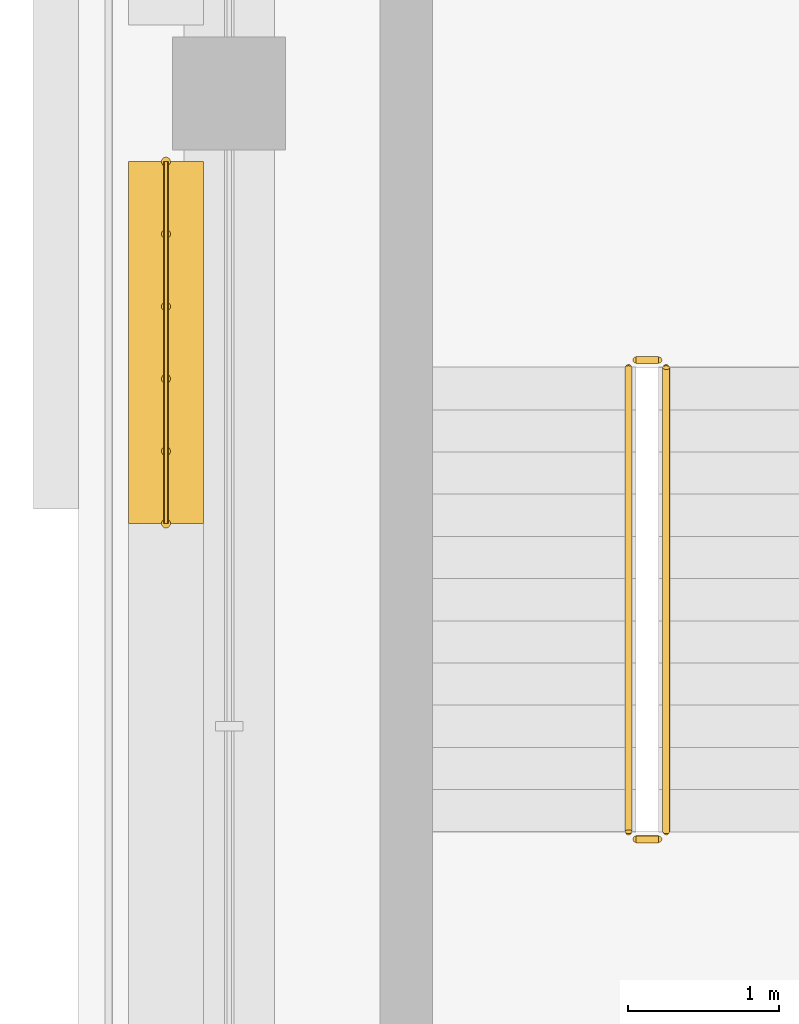
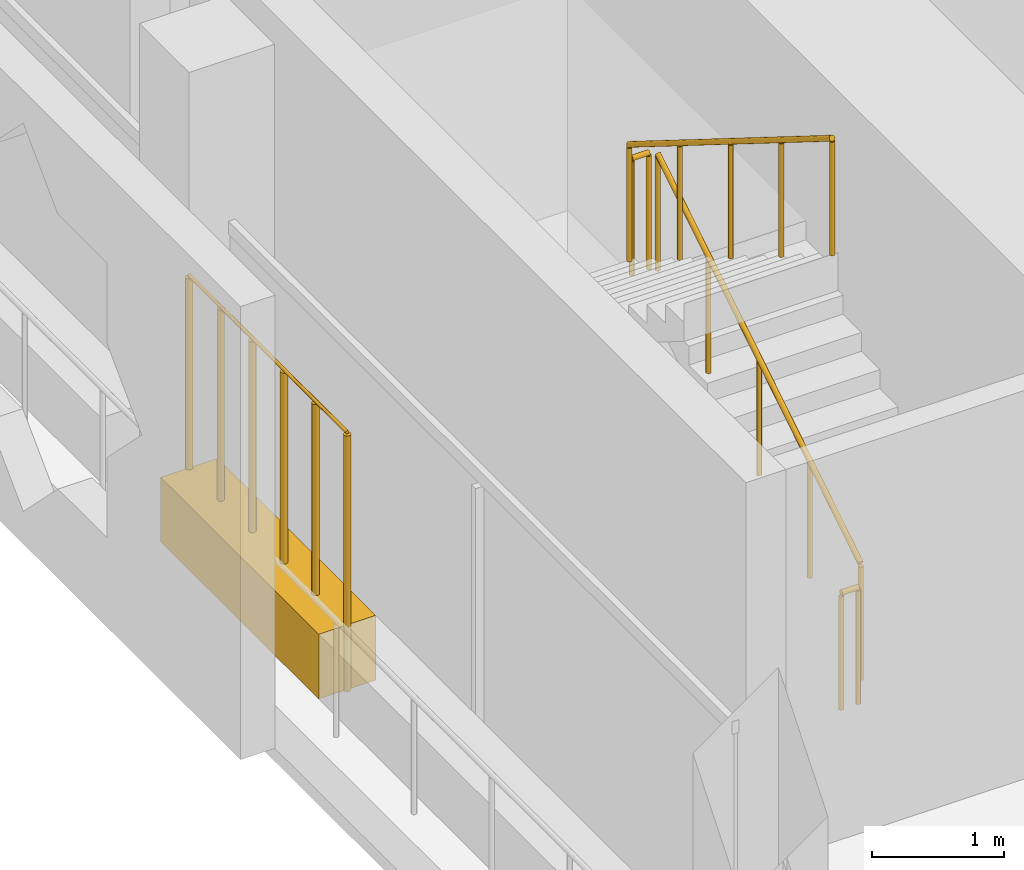
# One storey, part 16 of 22: 5 railings, 1 covering.
"""IFC4 building model written with IfcOpenShell, lengths in metres."""

from ifc_helpers import new_model, si_unit, direction, frame, origin, origin_2d, place, context, subcontext, project, spatial, rectangle, circle, extrude, material, material_profile, profile_set, type_object, element, save


model = new_model("IFC4")

# Units and contexts
model_context = context("Model", 3, precision=1e-05, world=origin(), true_north=direction((0.0, 1.0)))
body_context = subcontext(model_context, "Body", "Model", "MODEL_VIEW")
ifc_project = project(units=[si_unit("LENGTHUNIT", "METRE"), si_unit("AREAUNIT", "SQUARE_METRE"), si_unit("VOLUMEUNIT", "CUBIC_METRE"), si_unit("PLANEANGLEUNIT", "RADIAN"), si_unit("MASSUNIT", "GRAM", prefix="KILO")], contexts=[model_context])

# Site, building, storey
site_placement = place(None, origin())
site = spatial("IfcSite", under=ifc_project, at=site_placement, CompositionType="ELEMENT")
building_placement = place(site_placement, origin())
building = spatial("IfcBuilding", under=site, at=building_placement, Name="Kawkab Arch Medical Tower", CompositionType="ELEMENT")
storey_placement = place(building_placement, frame((0.0, 0.0, 286.0)))
storey = spatial("IfcBuildingStorey", under=building, at=storey_placement, Name="L66", CompositionType="ELEMENT", Elevation=286.0)

# Covering
ifc_material_1 = material(Name="Planting soil in a precast trough", Category="concrete")
ifc_material_profile = material_profile(ifc_material_1, rectangle(XDim=0.5, YDim=0.60009765625, at=origin_2d()), Name="Trough 500x600")
ifc_profile_set = profile_set([ifc_material_profile], Name="Planting soil in a precast trough")
covering_type = type_object("IfcCoveringType", Name="Planter trough 500 x 600", PredefinedType="USERDEFINED", material=ifc_profile_set)
covering_placement = place(storey_placement, frame((-0.419921875, -19.655029296875, 0.300048828125), z_axis=(0.0, 1.0, 0.0), x_axis=(-1.0, 0.0, 0.0)))
element("IfcCovering", 1, at=covering_placement, inside=storey, type_object=covering_type, Name="Planter L66.LOG-01-02.7", ObjectType="PLANTER", PredefinedType="USERDEFINED", context=body_context, shape_type="SweptSolid", body=[
    extrude(rectangle(XDim=0.5, YDim=0.60009765625, at=origin_2d()), origin(), (0.0, 0.0, 1.0), 2.402099609375),
])

# Railings
ifc_material_2 = material(Name="Bronze anodised aluminium trellis for climbing plants", Category="aluminium")
railing_type_1 = type_object("IfcRailingType", Name="Planting trellis 2400", PredefinedType="USERDEFINED", material=ifc_material_2)
railing_1_placement = place(storey_placement, frame((-0.419921875, -19.655029296875, 0.0)))
element("IfcRailing", 2, at=railing_1_placement, inside=storey, type_object=railing_type_1, Name="Planting trellis L66.LOG-01-02.7", ObjectType="TRELLIS", PredefinedType="USERDEFINED", context=body_context, shape_type="SweptSolid", body=[
    extrude(circle(Radius=0.01513671875, at=origin_2d()), frame((0.0, 0.0, 2.384765625), z_axis=(0.0, 1.0, 0.0), x_axis=(-1.0, 0.0, 0.0)), (0.0, 0.0, 1.0), 2.402099609375),
    extrude(circle(Radius=0.030029296875, at=origin_2d()), origin(), (0.0, 0.0, 1.0), 2.369873046875),
    extrude(circle(Radius=0.030029296875, at=origin_2d()), frame((0.0, 0.48046875, 0.0)), (0.0, 0.0, 1.0), 2.369873046875),
    extrude(circle(Radius=0.030029296875, at=origin_2d()), frame((0.0, 0.9609375, 0.0)), (0.0, 0.0, 1.0), 2.369873046875),
    extrude(circle(Radius=0.030029296875, at=origin_2d()), frame((0.0, 1.441162109375, 0.0)), (0.0, 0.0, 1.0), 2.369873046875),
    extrude(circle(Radius=0.030029296875, at=origin_2d()), frame((0.0, 1.921630859375, 0.0)), (0.0, 0.0, 1.0), 2.369873046875),
    extrude(circle(Radius=0.030029296875, at=origin_2d()), frame((0.0, 2.402099609375, 0.0)), (0.0, 0.0, 1.0), 2.369873046875),
])
ifc_material_3 = material(Name="Stainless steel", Category="steel")
railing_type_2 = type_object("IfcRailingType", Name="Stair guard 1100", PredefinedType="GUARDRAIL", material=ifc_material_3)
railing_2_placement = place(storey_placement, frame((2.89990234375, -21.699951171875, 0.175048828125)))
element("IfcRailing", 3, at=railing_2_placement, inside=storey, type_object=railing_type_2, Name="L66 ST2 stair guard 1", PredefinedType="GUARDRAIL", context=body_context, shape_type="SweptSolid", body=[
    extrude(circle(Radius=0.02392578125, at=origin_2d()), frame((0.0, 0.0, 1.076171875), z_axis=(0.0, 0.847979421464, 0.530029150871), x_axis=(-1.0, 0.0, 0.0)), (0.0, 0.0, 1.0), 3.632080078125),
    extrude(circle(Radius=0.02099609375, at=origin_2d()), origin(), (0.0, 0.0, 1.0), 1.052001953125),
    extrude(circle(Radius=0.02099609375, at=origin_2d()), frame((0.0, 0.77001953125, 0.481201171875)), (0.0, 0.0, 1.0), 1.052001953125),
    extrude(circle(Radius=0.02099609375, at=origin_2d()), frame((0.0, 1.5400390625, 0.96240234375)), (0.0, 0.0, 1.0), 1.052001953125),
    extrude(circle(Radius=0.02099609375, at=origin_2d()), frame((0.0, 2.309814453125, 1.44384765625)), (0.0, 0.0, 1.0), 1.052001953125),
    extrude(circle(Radius=0.02099609375, at=origin_2d()), frame((0.0, 3.079833984375, 1.925048828125)), (0.0, 0.0, 1.0), 1.052001953125),
])
railing_3_placement = place(storey_placement, frame((2.85009765625, -18.570068359375, 2.10009765625)))
element("IfcRailing", 4, at=railing_3_placement, inside=storey, type_object=railing_type_2, Name="L66 ST2 stair guard 2", PredefinedType="GUARDRAIL", context=body_context, shape_type="SweptSolid", body=[
    extrude(circle(Radius=0.02392578125, at=origin_2d()), frame((0.0, 0.0, 1.076171875), z_axis=(-1.0, 0.0, 0.0), x_axis=(0.0, -1.0, 0.0)), (0.0, 0.0, 1.0), 0.150146484375),
    extrude(circle(Radius=0.02099609375, at=origin_2d()), origin(), (0.0, 0.0, 1.0), 1.052001953125),
    extrude(circle(Radius=0.02099609375, at=origin_2d()), frame((-0.150146484375, 0.0, 0.0)), (0.0, 0.0, 1.0), 1.052001953125),
])
railing_4_placement = place(storey_placement, frame((2.64990234375, -18.6201171875, 2.27490234375)))
element("IfcRailing", 5, at=railing_4_placement, inside=storey, type_object=railing_type_2, Name="L66 ST2 stair guard 3", PredefinedType="GUARDRAIL", context=body_context, shape_type="SweptSolid", body=[
    extrude(circle(Radius=0.02392578125, at=origin_2d()), frame((0.0, 0.0, 1.076171875), z_axis=(0.0, -0.847979421464, 0.530029150871), x_axis=(1.0, 0.0, 0.0)), (0.0, 0.0, 1.0), 3.632080078125),
    extrude(circle(Radius=0.02099609375, at=origin_2d()), origin(), (0.0, 0.0, 1.0), 1.052001953125),
    extrude(circle(Radius=0.02099609375, at=origin_2d()), frame((0.0, -0.77001953125, 0.481201171875)), (0.0, 0.0, 1.0), 1.052001953125),
    extrude(circle(Radius=0.02099609375, at=origin_2d()), frame((0.0, -1.5400390625, 0.96240234375)), (0.0, 0.0, 1.0), 1.052001953125),
    extrude(circle(Radius=0.02099609375, at=origin_2d()), frame((0.0, -2.309814453125, 1.44384765625)), (0.0, 0.0, 1.0), 1.052001953125),
    extrude(circle(Radius=0.02099609375, at=origin_2d()), frame((0.0, -3.079833984375, 1.925048828125)), (0.0, 0.0, 1.0), 1.052001953125),
])
railing_5_placement = place(storey_placement, frame((2.85009765625, -21.75, 0.0)))
element("IfcRailing", 6, at=railing_5_placement, inside=storey, type_object=railing_type_2, Name="L66 ST2 stair guard 4", PredefinedType="GUARDRAIL", context=body_context, shape_type="SweptSolid", body=[
    extrude(circle(Radius=0.02392578125, at=origin_2d()), frame((0.0, 0.0, 1.076171875), z_axis=(-1.0, 0.0, 0.0), x_axis=(0.0, -1.0, 0.0)), (0.0, 0.0, 1.0), 0.150146484375),
    extrude(circle(Radius=0.02099609375, at=origin_2d()), origin(), (0.0, 0.0, 1.0), 1.052001953125),
    extrude(circle(Radius=0.02099609375, at=origin_2d()), frame((-0.150146484375, 0.0, 0.0)), (0.0, 0.0, 1.0), 1.052001953125),
])

save(model, "model.ifc")
